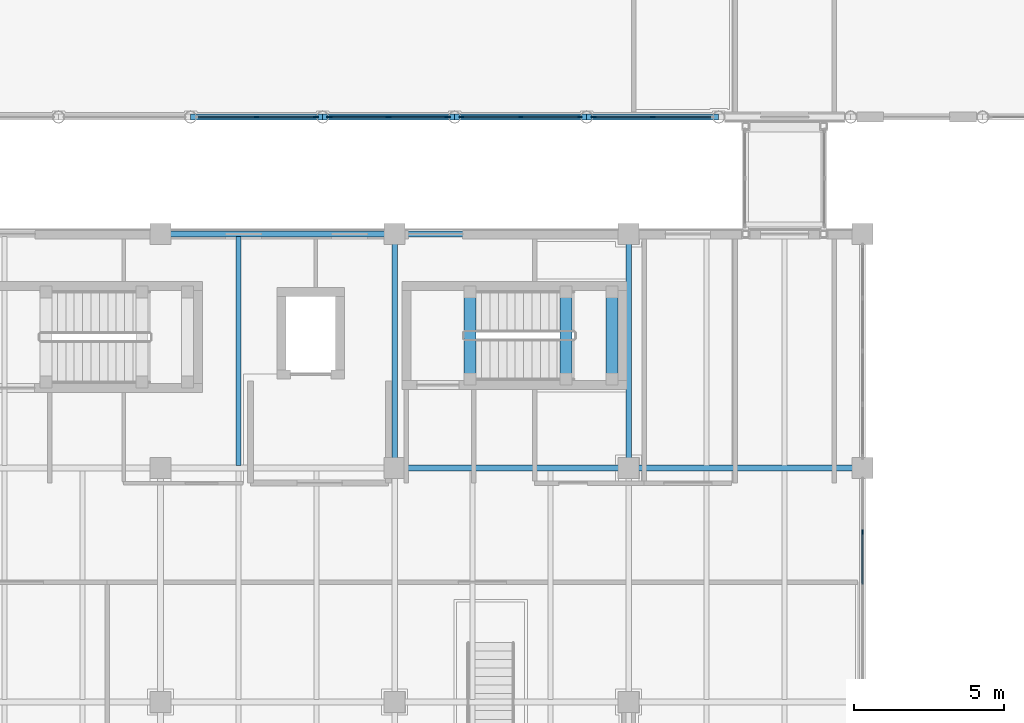
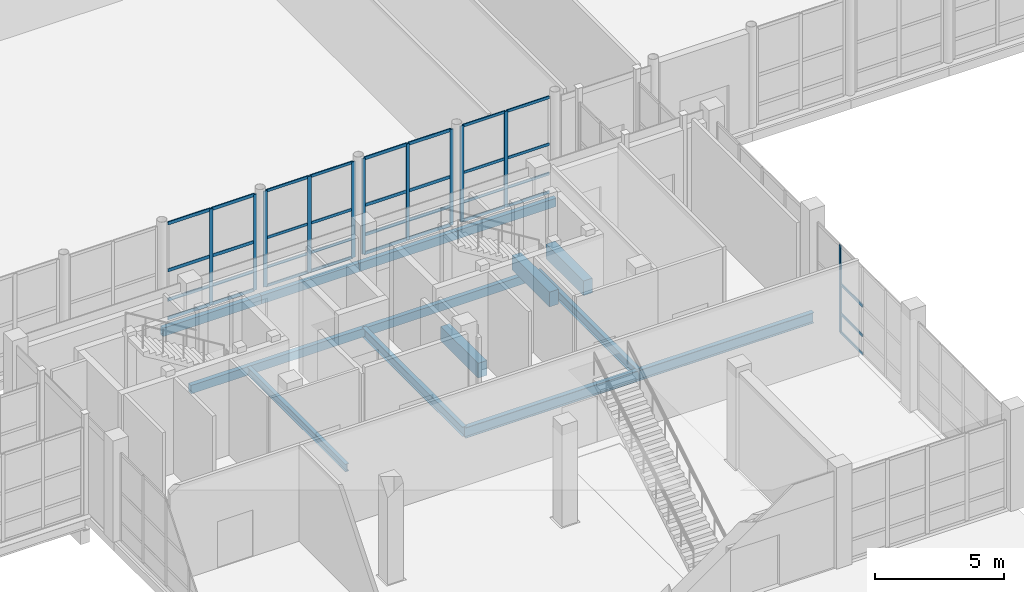
# One storey, part 38 of 131: 46 members, 14 beams, 5 elements without a shape of their own.
"""IFC4 building model written with IfcOpenShell, lengths in metres."""

from ifc_helpers import new_model, si_unit, direction, frame, origin, origin_2d, place, context, subcontext, project, spatial, rectangle, hollow_rectangle, i_section, extrude, material, layer, layer_set, material_profile, profile_set, type_object, element, aggregate, save


model = new_model("IFC4")

# Units and contexts
model_context = context("Model", 3, precision=1e-05, world=origin(), true_north=direction((0.0, 1.0)))
body_context = subcontext(model_context, "Body", "Model", "MODEL_VIEW")
ifc_project = project(units=[si_unit("LENGTHUNIT", "METRE"), si_unit("AREAUNIT", "SQUARE_METRE"), si_unit("VOLUMEUNIT", "CUBIC_METRE"), si_unit("PLANEANGLEUNIT", "RADIAN"), si_unit("MASSUNIT", "GRAM", prefix="KILO")], contexts=[model_context])

# Site, building, storey
site_placement = place(None, origin())
site = spatial("IfcSite", under=ifc_project, at=site_placement, CompositionType="ELEMENT")
building_placement = place(site_placement, origin())
building = spatial("IfcBuilding", under=site, at=building_placement, Name="Celorna Specialist Clinic", CompositionType="ELEMENT")
storey_placement = place(building_placement, origin())
storey = spatial("IfcBuildingStorey", under=building, at=storey_placement, Name="L00", CompositionType="ELEMENT", Elevation=0.0)

# Beams
ifc_material_1 = material(Name="Steel S355", Category="steel")
ifc_material_profile_1 = material_profile(ifc_material_1, i_section(OverallWidth=0.199951171875, OverallDepth=0.5, WebThickness=0.01025390625, FlangeThickness=0.01611328125, at=origin_2d()), Name="IPE 500")
ifc_profile_set_1 = profile_set([ifc_material_profile_1], Name="Steel S355")
beam_type_1 = type_object("IfcBeamType", Name="BM-08", PredefinedType="BEAM", material=ifc_profile_set_1)
for number, where, z_axis, x_axis, name in (
    (1, (70.199951171875, 35.10009765625, -0.550048828125), (1.0, 0.0, 0.0), (0.0, 1.0, 0.0), "Primary girder BM-08 #2024"),
    (2, (78.0, 35.10009765625, -0.550048828125), (1.0, 0.0, 0.0), (0.0, 1.0, 0.0), "Primary girder BM-08 #2025"),
):
    element("IfcBeam", number, at=place(storey_placement, frame(where, z_axis=z_axis, x_axis=x_axis)), inside=storey, type_object=beam_type_1, Name=name, PredefinedType="BEAM", context=body_context, shape_type="SweptSolid", body=[
        extrude(i_section(OverallWidth=0.199951171875, OverallDepth=0.5, WebThickness=0.01025390625, FlangeThickness=0.01611328125, at=origin_2d()), origin(), (0.0, 0.0, 1.0), 7.800048828125),
    ])
ifc_material_profile_2 = material_profile(ifc_material_1, i_section(OverallWidth=0.18994140625, OverallDepth=0.449951171875, WebThickness=0.009521484375, FlangeThickness=0.0146484375, at=origin_2d()), Name="IPE 450")
ifc_profile_set_2 = profile_set([ifc_material_profile_2], Name="Steel S355")
beam_type_2 = type_object("IfcBeamType", Name="BM-09", PredefinedType="BEAM", material=ifc_profile_set_2)
for number, where, z_axis, x_axis, name in (
    (3, (70.199951171875, 35.10009765625, -0.52490234375), (0.0, 1.0, 0.0), (-1.0, 0.0, 0.0), "Transverse girder BM-09 #2037"),
    (4, (78.0, 35.10009765625, -0.52490234375), (0.0, 1.0, 0.0), (-1.0, 0.0, 0.0), "Transverse girder BM-09 #2040"),
):
    element("IfcBeam", number, at=place(storey_placement, frame(where, z_axis=z_axis, x_axis=x_axis)), inside=storey, type_object=beam_type_2, Name=name, PredefinedType="BEAM", context=body_context, shape_type="SweptSolid", body=[
        extrude(i_section(OverallWidth=0.18994140625, OverallDepth=0.449951171875, WebThickness=0.009521484375, FlangeThickness=0.0146484375, at=origin_2d()), origin(), (0.0, 0.0, 1.0), 7.7998046875),
    ])
ifc_material_profile_3 = material_profile(ifc_material_1, i_section(OverallWidth=0.169921875, OverallDepth=0.360107421875, WebThickness=0.008056640625, FlangeThickness=0.0126953125, at=origin_2d()), Name="IPE 360")
ifc_profile_set_3 = profile_set([ifc_material_profile_3], Name="Steel S355")
beam_type_3 = type_object("IfcBeamType", Name="BM-11", PredefinedType="JOIST", material=ifc_profile_set_3)
beam_1_placement = place(storey_placement, frame((65.0, 35.18798828125, -0.47998046875), z_axis=(0.0, 1.0, 0.0), x_axis=(-1.0, 0.0, 0.0)))
element("IfcBeam", 5, at=beam_1_placement, inside=storey, type_object=beam_type_3, Name="Secondary floor joist BM-11 #2053", PredefinedType="JOIST", context=body_context, shape_type="SweptSolid", body=[
    extrude(i_section(OverallWidth=0.169921875, OverallDepth=0.360107421875, WebThickness=0.008056640625, FlangeThickness=0.0126953125, at=origin_2d()), origin(), (0.0, 0.0, 1.0), 7.6240234375),
])
ifc_material_profile_4 = material_profile(ifc_material_1, hollow_rectangle(XDim=0.199951171875, YDim=0.39990234375, WallThickness=0.011962890625, at=origin_2d()), Name="RHS 200x400x12")
ifc_profile_set_4 = profile_set([ifc_material_profile_4], Name="Steel S355")
beam_type_4 = type_object("IfcBeamType", Name="BM-15", PredefinedType="SPANDREL", material=ifc_profile_set_4)
beam_2_placement = place(storey_placement, frame((63.39990234375, 46.800048828125, -0.5), z_axis=(1.0, 0.0, 0.0), x_axis=(0.0, 1.0, 0.0)))
element("IfcBeam", 6, at=beam_2_placement, inside=storey, type_object=beam_type_4, Name="Spandrel beam BM-15 #130", PredefinedType="SPANDREL", context=body_context, shape_type="SweptSolid", body=[
    extrude(hollow_rectangle(XDim=0.199951171875, YDim=0.39990234375, WallThickness=0.011962890625, at=origin_2d()), origin(), (0.0, 0.0, 1.0), 4.400146484375),
])
beam_3_placement = place(storey_placement, frame((67.800048828125, 46.800048828125, -0.5), z_axis=(1.0, 0.0, 0.0), x_axis=(0.0, 1.0, 0.0)))
element("IfcBeam", 7, at=beam_3_placement, inside=storey, type_object=beam_type_4, Name="Spandrel beam BM-15 #131", PredefinedType="SPANDREL", context=body_context, shape_type="SweptSolid", body=[
    extrude(hollow_rectangle(XDim=0.199951171875, YDim=0.39990234375, WallThickness=0.011962890625, at=origin_2d()), origin(), (0.0, 0.0, 1.0), 4.39990234375),
])
beam_4_placement = place(storey_placement, frame((72.199951171875, 46.800048828125, -0.5), z_axis=(1.0, 0.0, 0.0), x_axis=(0.0, 1.0, 0.0)))
element("IfcBeam", 8, at=beam_4_placement, inside=storey, type_object=beam_type_4, Name="Spandrel beam BM-15 #132", PredefinedType="SPANDREL", context=body_context, shape_type="SweptSolid", body=[
    extrude(hollow_rectangle(XDim=0.199951171875, YDim=0.39990234375, WallThickness=0.011962890625, at=origin_2d()), origin(), (0.0, 0.0, 1.0), 4.400146484375),
])
beam_5_placement = place(storey_placement, frame((76.60009765625, 46.800048828125, -0.5), z_axis=(1.0, 0.0, 0.0), x_axis=(0.0, 1.0, 0.0)))
element("IfcBeam", 9, at=beam_5_placement, inside=storey, type_object=beam_type_4, Name="Spandrel beam BM-15 #133", PredefinedType="SPANDREL", context=body_context, shape_type="SweptSolid", body=[
    extrude(hollow_rectangle(XDim=0.199951171875, YDim=0.39990234375, WallThickness=0.011962890625, at=origin_2d()), origin(), (0.0, 0.0, 1.0), 4.39990234375),
])
for number, where, z_axis, x_axis, name in (
    (10, (62.39990234375, 42.89990234375, -0.5), (1.0, 0.0, 0.0), (0.0, 1.0, 0.0), "Spandrel beam BM-15 #2027"),
    (11, (70.199951171875, 42.89990234375, -0.5), (1.0, 0.0, 0.0), (0.0, 1.0, 0.0), "Spandrel beam BM-15 #2028"),
):
    element("IfcBeam", number, at=place(storey_placement, frame(where, z_axis=z_axis, x_axis=x_axis)), inside=storey, type_object=beam_type_4, Name=name, PredefinedType="SPANDREL", context=body_context, shape_type="SweptSolid", body=[
        extrude(hollow_rectangle(XDim=0.199951171875, YDim=0.39990234375, WallThickness=0.011962890625, at=origin_2d()), origin(), (0.0, 0.0, 1.0), 7.800048828125),
    ])
ifc_material_2 = material(Name="Concrete C35/45", Category="concrete")
ifc_material_profile_5 = material_profile(ifc_material_2, rectangle(XDim=0.39990234375, YDim=0.699951171875, at=origin_2d()), Name="RC 400x700")
ifc_profile_set_5 = profile_set([ifc_material_profile_5], Name="Concrete C35/45")
beam_type_5 = type_object("IfcBeamType", Name="BM-19", PredefinedType="BEAM", material=ifc_profile_set_5)
for number, where, z_axis, x_axis, name in (
    (12, (72.719970703125, 38.070068359375, -0.27490234375), (0.0, 1.0, 0.0), (-1.0, 0.0, 0.0), "Stair ST-09 floor landing trimmer beam L00"),
    (13, (75.919921875, 38.070068359375, 1.97509765625), (0.0, 1.0, 0.0), (-1.0, 0.0, 0.0), "Stair ST-09 half-landing beam L00"),
    (14, (77.43994140625, 38.070068359375, 1.97509765625), (0.0, 1.0, 0.0), (-1.0, 0.0, 0.0), "Stair ST-09 half-landing beam L00"),
):
    element("IfcBeam", number, at=place(storey_placement, frame(where, z_axis=z_axis, x_axis=x_axis)), inside=storey, type_object=beam_type_5, Name=name, PredefinedType="BEAM", context=body_context, shape_type="SweptSolid", body=[
        extrude(rectangle(XDim=0.39990234375, YDim=0.699951171875, at=origin_2d()), origin(), (0.0, 0.0, 1.0), 2.89990234375),
    ])

# Curtain wall, members
ifc_material_3 = material(Name="Thermally broken aluminium and solar-control glass curtain wall", Category="aluminium")
ifc_layer_1 = layer(ifc_material_3, 0.159912109375, Name="Thermally broken aluminium and solar-control glass curtain wall")
ifc_layer_set_1 = layer_set([ifc_layer_1], Name="Thermally broken aluminium and solar-control glass curtain wall")
curtain_wall_type_1 = type_object("IfcCurtainWallType", Name="CW-03", PredefinedType="NOTDEFINED", material=ifc_layer_set_1)
curtain_wall_1_placement = place(storey_placement, origin())
curtain_wall_1 = element("IfcCurtainWall", 15, at=curtain_wall_1_placement, inside=storey, type_object=curtain_wall_type_1, Name="Curtain wall CW-03 #3", PredefinedType="NOTDEFINED")
ifc_material_4 = material(Name="Anodized aluminium mullion", Category="aluminium")
ifc_material_profile_6 = material_profile(ifc_material_4, rectangle(XDim=0.050048828125, YDim=0.159912109375, at=origin_2d()), Name="ALU MULLION 50x160")
ifc_profile_set_6 = profile_set([ifc_material_profile_6], Name="Anodized aluminium mullion")
member_type_1 = type_object("IfcMemberType", Name="ML-01", PredefinedType="MULLION", material=ifc_profile_set_6)
member_1_placement = place(storey_placement, frame((67.56787109375, 46.800048828125, 0.0), z_axis=(0.0, 0.0, 1.0), x_axis=(0.0, -1.0, 0.0)))
member_1 = element("IfcMember", 16, at=member_1_placement, type_object=member_type_1, Name="CW-03 mullion 1", PredefinedType="MULLION", context=body_context, shape_type="SweptSolid", body=[
    extrude(rectangle(XDim=0.050048828125, YDim=0.159912109375, at=origin_2d()), origin(), (0.0, 0.0, 1.0), 4.5400390625),
])
member_2_placement = place(storey_placement, frame((65.60009765625, 46.800048828125, 0.0), z_axis=(0.0, 0.0, 1.0), x_axis=(0.0, -1.0, 0.0)))
member_2 = element("IfcMember", 17, at=member_2_placement, type_object=member_type_1, Name="CW-03 mullion 2", PredefinedType="MULLION", context=body_context, shape_type="SweptSolid", body=[
    extrude(rectangle(XDim=0.050048828125, YDim=0.159912109375, at=origin_2d()), origin(), (0.0, 0.0, 1.0), 4.5400390625),
])

curtain_wall_2_placement = place(storey_placement, origin())
curtain_wall_2 = element("IfcCurtainWall", 18, at=curtain_wall_2_placement, inside=storey, type_object=curtain_wall_type_1, Name="Curtain wall CW-03 #6", PredefinedType="NOTDEFINED")
member_3_placement = place(storey_placement, frame((78.800048828125, 46.800048828125, 0.0), z_axis=(0.0, 0.0, 1.0), x_axis=(0.0, -1.0, 0.0)))
member_3 = element("IfcMember", 19, at=member_3_placement, type_object=member_type_1, Name="CW-03 mullion 2", PredefinedType="MULLION", context=body_context, shape_type="SweptSolid", body=[
    extrude(rectangle(XDim=0.050048828125, YDim=0.159912109375, at=origin_2d()), origin(), (0.0, 0.0, 1.0), 4.5400390625),
])
member_4_placement = place(storey_placement, frame((76.832275390625, 46.800048828125, 0.0), z_axis=(0.0, 0.0, 1.0), x_axis=(0.0, -1.0, 0.0)))
member_4 = element("IfcMember", 20, at=member_4_placement, type_object=member_type_1, Name="CW-03 mullion 3", PredefinedType="MULLION", context=body_context, shape_type="SweptSolid", body=[
    extrude(rectangle(XDim=0.050048828125, YDim=0.159912109375, at=origin_2d()), origin(), (0.0, 0.0, 1.0), 4.5400390625),
])

ifc_layer_2 = layer(ifc_material_3, 0.159912109375, Name="Thermally broken aluminium and solar-control glass curtain wall")
ifc_layer_set_2 = layer_set([ifc_layer_2], Name="Thermally broken aluminium and solar-control glass curtain wall")
curtain_wall_type_2 = type_object("IfcCurtainWallType", Name="CW-01", PredefinedType="NOTDEFINED", material=ifc_layer_set_2)
curtain_wall_3_placement = place(storey_placement, origin())
curtain_wall_3 = element("IfcCurtainWall", 21, at=curtain_wall_3_placement, inside=storey, type_object=curtain_wall_type_2, Name="Curtain wall CW-01 #4", PredefinedType="NOTDEFINED")
ifc_material_profile_7 = material_profile(ifc_material_4, rectangle(XDim=0.050048828125, YDim=0.179931640625, at=origin_2d()), Name="ALU MULLION 50x180")
ifc_profile_set_7 = profile_set([ifc_material_profile_7], Name="Anodized aluminium mullion")
member_type_2 = type_object("IfcMemberType", Name="ML-02", PredefinedType="MULLION", material=ifc_profile_set_7)
member_5_placement = place(storey_placement, frame((71.9677734375, 46.800048828125, 0.0), z_axis=(0.0, 0.0, 1.0), x_axis=(0.0, -1.0, 0.0)))
member_5 = element("IfcMember", 22, at=member_5_placement, type_object=member_type_2, Name="CW-01 mullion 1", PredefinedType="MULLION", context=body_context, shape_type="SweptSolid", body=[
    extrude(rectangle(XDim=0.050048828125, YDim=0.179931640625, at=origin_2d()), origin(), (0.0, 0.0, 1.0), 4.5400390625),
])
member_6_placement = place(storey_placement, frame((70.0, 46.800048828125, 0.0), z_axis=(0.0, 0.0, 1.0), x_axis=(0.0, -1.0, 0.0)))
member_6 = element("IfcMember", 23, at=member_6_placement, type_object=member_type_2, Name="CW-01 mullion 2", PredefinedType="MULLION", context=body_context, shape_type="SweptSolid", body=[
    extrude(rectangle(XDim=0.050048828125, YDim=0.179931640625, at=origin_2d()), origin(), (0.0, 0.0, 1.0), 4.5400390625),
])
member_7_placement = place(storey_placement, frame((68.0322265625, 46.800048828125, 0.0), z_axis=(0.0, 0.0, 1.0), x_axis=(0.0, -1.0, 0.0)))
member_7 = element("IfcMember", 24, at=member_7_placement, type_object=member_type_2, Name="CW-01 mullion 3", PredefinedType="MULLION", context=body_context, shape_type="SweptSolid", body=[
    extrude(rectangle(XDim=0.050048828125, YDim=0.179931640625, at=origin_2d()), origin(), (0.0, 0.0, 1.0), 4.5400390625),
])

ifc_layer_3 = layer(ifc_material_3, 0.159912109375, Name="Thermally broken aluminium and solar-control glass curtain wall")
ifc_layer_set_3 = layer_set([ifc_layer_3], Name="Thermally broken aluminium and solar-control glass curtain wall")
curtain_wall_type_3 = type_object("IfcCurtainWallType", Name="CW-02", PredefinedType="NOTDEFINED", material=ifc_layer_set_3)
curtain_wall_4_placement = place(storey_placement, origin())
curtain_wall_4 = element("IfcCurtainWall", 25, at=curtain_wall_4_placement, inside=storey, type_object=curtain_wall_type_3, Name="Curtain wall CW-02 #5", PredefinedType="NOTDEFINED")
ifc_material_profile_8 = material_profile(ifc_material_4, rectangle(XDim=0.050048828125, YDim=0.139892578125, at=origin_2d()), Name="ALU MULLION 50x140")
ifc_profile_set_8 = profile_set([ifc_material_profile_8], Name="Anodized aluminium mullion")
member_type_3 = type_object("IfcMemberType", Name="ML-03", PredefinedType="MULLION", material=ifc_profile_set_8)
member_8_placement = place(storey_placement, frame((76.367919921875, 46.800048828125, 0.0), z_axis=(0.0, 0.0, 1.0), x_axis=(0.0, -1.0, 0.0)))
member_8 = element("IfcMember", 26, at=member_8_placement, type_object=member_type_3, Name="CW-02 mullion 1", PredefinedType="MULLION", context=body_context, shape_type="SweptSolid", body=[
    extrude(rectangle(XDim=0.050048828125, YDim=0.139892578125, at=origin_2d()), origin(), (0.0, 0.0, 1.0), 4.5400390625),
])
member_9_placement = place(storey_placement, frame((74.39990234375, 46.800048828125, 0.0), z_axis=(0.0, 0.0, 1.0), x_axis=(0.0, -1.0, 0.0)))
member_9 = element("IfcMember", 27, at=member_9_placement, type_object=member_type_3, Name="CW-02 mullion 2", PredefinedType="MULLION", context=body_context, shape_type="SweptSolid", body=[
    extrude(rectangle(XDim=0.050048828125, YDim=0.139892578125, at=origin_2d()), origin(), (0.0, 0.0, 1.0), 4.5400390625),
])
member_10_placement = place(storey_placement, frame((72.43212890625, 46.800048828125, 0.0), z_axis=(0.0, 0.0, 1.0), x_axis=(0.0, -1.0, 0.0)))
member_10 = element("IfcMember", 28, at=member_10_placement, type_object=member_type_3, Name="CW-02 mullion 3", PredefinedType="MULLION", context=body_context, shape_type="SweptSolid", body=[
    extrude(rectangle(XDim=0.050048828125, YDim=0.139892578125, at=origin_2d()), origin(), (0.0, 0.0, 1.0), 4.5400390625),
])

# Curtain wall, member
ifc_layer_4 = layer(ifc_material_3, 0.159912109375, Name="Thermally broken aluminium and solar-control glass curtain wall")
ifc_layer_set_4 = layer_set([ifc_layer_4], Name="Thermally broken aluminium and solar-control glass curtain wall")
curtain_wall_type_4 = type_object("IfcCurtainWallType", Name="CW-103", PredefinedType="NOTDEFINED", material=ifc_layer_set_4)
curtain_wall_5_placement = place(storey_placement, origin())
curtain_wall_5 = element("IfcCurtainWall", 29, at=curtain_wall_5_placement, inside=storey, type_object=curtain_wall_type_4, Name="Curtain wall CW-103 #184", PredefinedType="NOTDEFINED")
member_11_placement = place(storey_placement, frame((85.800048828125, 32.972900390625, 0.0), z_axis=(0.0, 0.0, 1.0), x_axis=(1.0, 0.0, 0.0)))
member_11 = element("IfcMember", 30, at=member_11_placement, type_object=member_type_3, Name="CW-103 mullion 2", PredefinedType="MULLION", context=body_context, shape_type="SweptSolid", body=[
    extrude(rectangle(XDim=0.050048828125, YDim=0.139892578125, at=origin_2d()), origin(), (0.0, 0.0, 1.0), 4.139892578125),
])

# Member
ifc_material_5 = material(Name="Anodized aluminium transom", Category="aluminium")
ifc_material_profile_9 = material_profile(ifc_material_5, rectangle(XDim=0.050048828125, YDim=0.1298828125, at=origin_2d()), Name="ALU TRANSOM 50x130")
ifc_profile_set_9 = profile_set([ifc_material_profile_9], Name="Anodized aluminium transom")
member_type_4 = type_object("IfcMemberType", Name="TR-01", PredefinedType="USERDEFINED", material=ifc_profile_set_9)
member_12_placement = place(storey_placement, frame((71.94287109375, 46.800048828125, 0.02490234375), z_axis=(-1.0, 0.0, 0.0), x_axis=(0.0, -1.0, 0.0)))
member_12 = element("IfcMember", 31, at=member_12_placement, type_object=member_type_4, Name="CW-01 transom 1.1", ObjectType="TRANSOM", PredefinedType="USERDEFINED", context=body_context, shape_type="SweptSolid", body=[
    extrude(rectangle(XDim=0.050048828125, YDim=0.1298828125, at=origin_2d()), origin(), (0.0, 0.0, 1.0), 1.91796875),
])

member_13_placement = place(storey_placement, frame((71.94287109375, 46.800048828125, 0.89990234375), z_axis=(-1.0, 0.0, 0.0), x_axis=(0.0, -1.0, 0.0)))
member_13 = element("IfcMember", 32, at=member_13_placement, type_object=member_type_4, Name="CW-01 transom 1.2", ObjectType="TRANSOM", PredefinedType="USERDEFINED", context=body_context, shape_type="SweptSolid", body=[
    extrude(rectangle(XDim=0.050048828125, YDim=0.1298828125, at=origin_2d()), origin(), (0.0, 0.0, 1.0), 1.91796875),
])

member_14_placement = place(storey_placement, frame((71.94287109375, 46.800048828125, 2.300048828125), z_axis=(-1.0, 0.0, 0.0), x_axis=(0.0, -1.0, 0.0)))
member_14 = element("IfcMember", 33, at=member_14_placement, type_object=member_type_4, Name="CW-01 transom 1.3", ObjectType="TRANSOM", PredefinedType="USERDEFINED", context=body_context, shape_type="SweptSolid", body=[
    extrude(rectangle(XDim=0.050048828125, YDim=0.1298828125, at=origin_2d()), origin(), (0.0, 0.0, 1.0), 1.91796875),
])

member_15_placement = place(storey_placement, frame((71.94287109375, 46.800048828125, 4.514892578125), z_axis=(-1.0, 0.0, 0.0), x_axis=(0.0, -1.0, 0.0)))
member_15 = element("IfcMember", 34, at=member_15_placement, type_object=member_type_4, Name="CW-01 transom 1.4", ObjectType="TRANSOM", PredefinedType="USERDEFINED", context=body_context, shape_type="SweptSolid", body=[
    extrude(rectangle(XDim=0.050048828125, YDim=0.1298828125, at=origin_2d()), origin(), (0.0, 0.0, 1.0), 1.91796875),
])

member_16_placement = place(storey_placement, frame((69.97509765625, 46.800048828125, 0.02490234375), z_axis=(-1.0, 0.0, 0.0), x_axis=(0.0, -1.0, 0.0)))
member_16 = element("IfcMember", 35, at=member_16_placement, type_object=member_type_4, Name="CW-01 transom 2.1", ObjectType="TRANSOM", PredefinedType="USERDEFINED", context=body_context, shape_type="SweptSolid", body=[
    extrude(rectangle(XDim=0.050048828125, YDim=0.1298828125, at=origin_2d()), origin(), (0.0, 0.0, 1.0), 1.91796875),
])

member_17_placement = place(storey_placement, frame((69.97509765625, 46.800048828125, 0.89990234375), z_axis=(-1.0, 0.0, 0.0), x_axis=(0.0, -1.0, 0.0)))
member_17 = element("IfcMember", 36, at=member_17_placement, type_object=member_type_4, Name="CW-01 transom 2.2", ObjectType="TRANSOM", PredefinedType="USERDEFINED", context=body_context, shape_type="SweptSolid", body=[
    extrude(rectangle(XDim=0.050048828125, YDim=0.1298828125, at=origin_2d()), origin(), (0.0, 0.0, 1.0), 1.91796875),
])

member_18_placement = place(storey_placement, frame((69.97509765625, 46.800048828125, 2.300048828125), z_axis=(-1.0, 0.0, 0.0), x_axis=(0.0, -1.0, 0.0)))
member_18 = element("IfcMember", 37, at=member_18_placement, type_object=member_type_4, Name="CW-01 transom 2.3", ObjectType="TRANSOM", PredefinedType="USERDEFINED", context=body_context, shape_type="SweptSolid", body=[
    extrude(rectangle(XDim=0.050048828125, YDim=0.1298828125, at=origin_2d()), origin(), (0.0, 0.0, 1.0), 1.91796875),
])

member_19_placement = place(storey_placement, frame((69.97509765625, 46.800048828125, 4.514892578125), z_axis=(-1.0, 0.0, 0.0), x_axis=(0.0, -1.0, 0.0)))
member_19 = element("IfcMember", 38, at=member_19_placement, type_object=member_type_4, Name="CW-01 transom 2.4", ObjectType="TRANSOM", PredefinedType="USERDEFINED", context=body_context, shape_type="SweptSolid", body=[
    extrude(rectangle(XDim=0.050048828125, YDim=0.1298828125, at=origin_2d()), origin(), (0.0, 0.0, 1.0), 1.91796875),
])

aggregate(curtain_wall_3, [member_5, member_6, member_7, member_12, member_13, member_14, member_15, member_16, member_17, member_18, member_19])

member_20_placement = place(storey_placement, frame((80.742919921875, 46.800048828125, 0.02490234375), z_axis=(-1.0, 0.0, 0.0), x_axis=(0.0, -1.0, 0.0)))
member_20 = element("IfcMember", 39, at=member_20_placement, type_object=member_type_4, Name="CW-03 transom 1.1", ObjectType="TRANSOM", PredefinedType="USERDEFINED", context=body_context, shape_type="SweptSolid", body=[
    extrude(rectangle(XDim=0.050048828125, YDim=0.1298828125, at=origin_2d()), origin(), (0.0, 0.0, 1.0), 1.91796875),
])

member_21_placement = place(storey_placement, frame((80.742919921875, 46.800048828125, 0.89990234375), z_axis=(-1.0, 0.0, 0.0), x_axis=(0.0, -1.0, 0.0)))
member_21 = element("IfcMember", 40, at=member_21_placement, type_object=member_type_4, Name="CW-03 transom 1.2", ObjectType="TRANSOM", PredefinedType="USERDEFINED", context=body_context, shape_type="SweptSolid", body=[
    extrude(rectangle(XDim=0.050048828125, YDim=0.1298828125, at=origin_2d()), origin(), (0.0, 0.0, 1.0), 1.91796875),
])

member_22_placement = place(storey_placement, frame((80.742919921875, 46.800048828125, 2.300048828125), z_axis=(-1.0, 0.0, 0.0), x_axis=(0.0, -1.0, 0.0)))
member_22 = element("IfcMember", 41, at=member_22_placement, type_object=member_type_4, Name="CW-03 transom 1.3", ObjectType="TRANSOM", PredefinedType="USERDEFINED", context=body_context, shape_type="SweptSolid", body=[
    extrude(rectangle(XDim=0.050048828125, YDim=0.1298828125, at=origin_2d()), origin(), (0.0, 0.0, 1.0), 1.91796875),
])

member_23_placement = place(storey_placement, frame((80.742919921875, 46.800048828125, 4.514892578125), z_axis=(-1.0, 0.0, 0.0), x_axis=(0.0, -1.0, 0.0)))
member_23 = element("IfcMember", 42, at=member_23_placement, type_object=member_type_4, Name="CW-03 transom 1.4", ObjectType="TRANSOM", PredefinedType="USERDEFINED", context=body_context, shape_type="SweptSolid", body=[
    extrude(rectangle(XDim=0.050048828125, YDim=0.1298828125, at=origin_2d()), origin(), (0.0, 0.0, 1.0), 1.91796875),
])

member_24_placement = place(storey_placement, frame((78.77490234375, 46.800048828125, 0.02490234375), z_axis=(-1.0, 0.0, 0.0), x_axis=(0.0, -1.0, 0.0)))
member_24 = element("IfcMember", 43, at=member_24_placement, type_object=member_type_4, Name="CW-03 transom 2.1", ObjectType="TRANSOM", PredefinedType="USERDEFINED", context=body_context, shape_type="SweptSolid", body=[
    extrude(rectangle(XDim=0.050048828125, YDim=0.1298828125, at=origin_2d()), origin(), (0.0, 0.0, 1.0), 1.917724609375),
])

member_25_placement = place(storey_placement, frame((78.77490234375, 46.800048828125, 0.89990234375), z_axis=(-1.0, 0.0, 0.0), x_axis=(0.0, -1.0, 0.0)))
member_25 = element("IfcMember", 44, at=member_25_placement, type_object=member_type_4, Name="CW-03 transom 2.2", ObjectType="TRANSOM", PredefinedType="USERDEFINED", context=body_context, shape_type="SweptSolid", body=[
    extrude(rectangle(XDim=0.050048828125, YDim=0.1298828125, at=origin_2d()), origin(), (0.0, 0.0, 1.0), 1.917724609375),
])

member_26_placement = place(storey_placement, frame((78.77490234375, 46.800048828125, 2.300048828125), z_axis=(-1.0, 0.0, 0.0), x_axis=(0.0, -1.0, 0.0)))
member_26 = element("IfcMember", 45, at=member_26_placement, type_object=member_type_4, Name="CW-03 transom 2.3", ObjectType="TRANSOM", PredefinedType="USERDEFINED", context=body_context, shape_type="SweptSolid", body=[
    extrude(rectangle(XDim=0.050048828125, YDim=0.1298828125, at=origin_2d()), origin(), (0.0, 0.0, 1.0), 1.917724609375),
])

member_27_placement = place(storey_placement, frame((78.77490234375, 46.800048828125, 4.514892578125), z_axis=(-1.0, 0.0, 0.0), x_axis=(0.0, -1.0, 0.0)))
member_27 = element("IfcMember", 46, at=member_27_placement, type_object=member_type_4, Name="CW-03 transom 2.4", ObjectType="TRANSOM", PredefinedType="USERDEFINED", context=body_context, shape_type="SweptSolid", body=[
    extrude(rectangle(XDim=0.050048828125, YDim=0.1298828125, at=origin_2d()), origin(), (0.0, 0.0, 1.0), 1.917724609375),
])

aggregate(curtain_wall_2, [member_3, member_4, member_20, member_21, member_22, member_23, member_24, member_25, member_26, member_27])

member_28_placement = place(storey_placement, frame((85.800048828125, 32.947998046875, 0.02490234375), z_axis=(0.0, -1.0, 0.0), x_axis=(1.0, 0.0, 0.0)))
member_28 = element("IfcMember", 47, at=member_28_placement, type_object=member_type_4, Name="CW-103 transom 2.1", ObjectType="TRANSOM", PredefinedType="USERDEFINED", context=body_context, shape_type="SweptSolid", body=[
    extrude(rectangle(XDim=0.050048828125, YDim=0.1298828125, at=origin_2d()), origin(), (0.0, 0.0, 1.0), 1.722900390625),
])

member_29_placement = place(storey_placement, frame((85.800048828125, 32.947998046875, 0.89990234375), z_axis=(0.0, -1.0, 0.0), x_axis=(1.0, 0.0, 0.0)))
member_29 = element("IfcMember", 48, at=member_29_placement, type_object=member_type_4, Name="CW-103 transom 2.2", ObjectType="TRANSOM", PredefinedType="USERDEFINED", context=body_context, shape_type="SweptSolid", body=[
    extrude(rectangle(XDim=0.050048828125, YDim=0.1298828125, at=origin_2d()), origin(), (0.0, 0.0, 1.0), 1.722900390625),
])

member_30_placement = place(storey_placement, frame((85.800048828125, 32.947998046875, 2.300048828125), z_axis=(0.0, -1.0, 0.0), x_axis=(1.0, 0.0, 0.0)))
member_30 = element("IfcMember", 49, at=member_30_placement, type_object=member_type_4, Name="CW-103 transom 2.3", ObjectType="TRANSOM", PredefinedType="USERDEFINED", context=body_context, shape_type="SweptSolid", body=[
    extrude(rectangle(XDim=0.050048828125, YDim=0.1298828125, at=origin_2d()), origin(), (0.0, 0.0, 1.0), 1.722900390625),
])

aggregate(curtain_wall_5, [member_11, member_28, member_29, member_30])

ifc_material_profile_10 = material_profile(ifc_material_5, rectangle(XDim=0.050048828125, YDim=0.14990234375, at=origin_2d()), Name="ALU TRANSOM 50x150")
ifc_profile_set_10 = profile_set([ifc_material_profile_10], Name="Anodized aluminium transom")
member_type_5 = type_object("IfcMemberType", Name="TR-02", PredefinedType="USERDEFINED", material=ifc_profile_set_10)
member_31_placement = place(storey_placement, frame((67.542724609375, 46.800048828125, 0.02490234375), z_axis=(-1.0, 0.0, 0.0), x_axis=(0.0, -1.0, 0.0)))
member_31 = element("IfcMember", 50, at=member_31_placement, type_object=member_type_5, Name="CW-03 transom 1.1", ObjectType="TRANSOM", PredefinedType="USERDEFINED", context=body_context, shape_type="SweptSolid", body=[
    extrude(rectangle(XDim=0.050048828125, YDim=0.14990234375, at=origin_2d()), origin(), (0.0, 0.0, 1.0), 1.917724609375),
])

member_32_placement = place(storey_placement, frame((67.542724609375, 46.800048828125, 0.89990234375), z_axis=(-1.0, 0.0, 0.0), x_axis=(0.0, -1.0, 0.0)))
member_32 = element("IfcMember", 51, at=member_32_placement, type_object=member_type_5, Name="CW-03 transom 1.2", ObjectType="TRANSOM", PredefinedType="USERDEFINED", context=body_context, shape_type="SweptSolid", body=[
    extrude(rectangle(XDim=0.050048828125, YDim=0.14990234375, at=origin_2d()), origin(), (0.0, 0.0, 1.0), 1.917724609375),
])

member_33_placement = place(storey_placement, frame((67.542724609375, 46.800048828125, 2.300048828125), z_axis=(-1.0, 0.0, 0.0), x_axis=(0.0, -1.0, 0.0)))
member_33 = element("IfcMember", 52, at=member_33_placement, type_object=member_type_5, Name="CW-03 transom 1.3", ObjectType="TRANSOM", PredefinedType="USERDEFINED", context=body_context, shape_type="SweptSolid", body=[
    extrude(rectangle(XDim=0.050048828125, YDim=0.14990234375, at=origin_2d()), origin(), (0.0, 0.0, 1.0), 1.917724609375),
])

member_34_placement = place(storey_placement, frame((67.542724609375, 46.800048828125, 4.514892578125), z_axis=(-1.0, 0.0, 0.0), x_axis=(0.0, -1.0, 0.0)))
member_34 = element("IfcMember", 53, at=member_34_placement, type_object=member_type_5, Name="CW-03 transom 1.4", ObjectType="TRANSOM", PredefinedType="USERDEFINED", context=body_context, shape_type="SweptSolid", body=[
    extrude(rectangle(XDim=0.050048828125, YDim=0.14990234375, at=origin_2d()), origin(), (0.0, 0.0, 1.0), 1.917724609375),
])

member_35_placement = place(storey_placement, frame((65.574951171875, 46.800048828125, 0.02490234375), z_axis=(-1.0, 0.0, 0.0), x_axis=(0.0, -1.0, 0.0)))
member_35 = element("IfcMember", 54, at=member_35_placement, type_object=member_type_5, Name="CW-03 transom 2.1", ObjectType="TRANSOM", PredefinedType="USERDEFINED", context=body_context, shape_type="SweptSolid", body=[
    extrude(rectangle(XDim=0.050048828125, YDim=0.14990234375, at=origin_2d()), origin(), (0.0, 0.0, 1.0), 1.917724609375),
])

member_36_placement = place(storey_placement, frame((65.574951171875, 46.800048828125, 0.89990234375), z_axis=(-1.0, 0.0, 0.0), x_axis=(0.0, -1.0, 0.0)))
member_36 = element("IfcMember", 55, at=member_36_placement, type_object=member_type_5, Name="CW-03 transom 2.2", ObjectType="TRANSOM", PredefinedType="USERDEFINED", context=body_context, shape_type="SweptSolid", body=[
    extrude(rectangle(XDim=0.050048828125, YDim=0.14990234375, at=origin_2d()), origin(), (0.0, 0.0, 1.0), 1.917724609375),
])

member_37_placement = place(storey_placement, frame((65.574951171875, 46.800048828125, 2.300048828125), z_axis=(-1.0, 0.0, 0.0), x_axis=(0.0, -1.0, 0.0)))
member_37 = element("IfcMember", 56, at=member_37_placement, type_object=member_type_5, Name="CW-03 transom 2.3", ObjectType="TRANSOM", PredefinedType="USERDEFINED", context=body_context, shape_type="SweptSolid", body=[
    extrude(rectangle(XDim=0.050048828125, YDim=0.14990234375, at=origin_2d()), origin(), (0.0, 0.0, 1.0), 1.917724609375),
])

member_38_placement = place(storey_placement, frame((65.574951171875, 46.800048828125, 4.514892578125), z_axis=(-1.0, 0.0, 0.0), x_axis=(0.0, -1.0, 0.0)))
member_38 = element("IfcMember", 57, at=member_38_placement, type_object=member_type_5, Name="CW-03 transom 2.4", ObjectType="TRANSOM", PredefinedType="USERDEFINED", context=body_context, shape_type="SweptSolid", body=[
    extrude(rectangle(XDim=0.050048828125, YDim=0.14990234375, at=origin_2d()), origin(), (0.0, 0.0, 1.0), 1.917724609375),
])

aggregate(curtain_wall_1, [member_1, member_2, member_31, member_32, member_33, member_34, member_35, member_36, member_37, member_38])

member_39_placement = place(storey_placement, frame((76.3427734375, 46.800048828125, 0.02490234375), z_axis=(-1.0, 0.0, 0.0), x_axis=(0.0, -1.0, 0.0)))
member_39 = element("IfcMember", 58, at=member_39_placement, type_object=member_type_5, Name="CW-02 transom 1.1", ObjectType="TRANSOM", PredefinedType="USERDEFINED", context=body_context, shape_type="SweptSolid", body=[
    extrude(rectangle(XDim=0.050048828125, YDim=0.14990234375, at=origin_2d()), origin(), (0.0, 0.0, 1.0), 1.917724609375),
])

member_40_placement = place(storey_placement, frame((76.3427734375, 46.800048828125, 0.89990234375), z_axis=(-1.0, 0.0, 0.0), x_axis=(0.0, -1.0, 0.0)))
member_40 = element("IfcMember", 59, at=member_40_placement, type_object=member_type_5, Name="CW-02 transom 1.2", ObjectType="TRANSOM", PredefinedType="USERDEFINED", context=body_context, shape_type="SweptSolid", body=[
    extrude(rectangle(XDim=0.050048828125, YDim=0.14990234375, at=origin_2d()), origin(), (0.0, 0.0, 1.0), 1.917724609375),
])

member_41_placement = place(storey_placement, frame((76.3427734375, 46.800048828125, 2.300048828125), z_axis=(-1.0, 0.0, 0.0), x_axis=(0.0, -1.0, 0.0)))
member_41 = element("IfcMember", 60, at=member_41_placement, type_object=member_type_5, Name="CW-02 transom 1.3", ObjectType="TRANSOM", PredefinedType="USERDEFINED", context=body_context, shape_type="SweptSolid", body=[
    extrude(rectangle(XDim=0.050048828125, YDim=0.14990234375, at=origin_2d()), origin(), (0.0, 0.0, 1.0), 1.917724609375),
])

member_42_placement = place(storey_placement, frame((76.3427734375, 46.800048828125, 4.514892578125), z_axis=(-1.0, 0.0, 0.0), x_axis=(0.0, -1.0, 0.0)))
member_42 = element("IfcMember", 61, at=member_42_placement, type_object=member_type_5, Name="CW-02 transom 1.4", ObjectType="TRANSOM", PredefinedType="USERDEFINED", context=body_context, shape_type="SweptSolid", body=[
    extrude(rectangle(XDim=0.050048828125, YDim=0.14990234375, at=origin_2d()), origin(), (0.0, 0.0, 1.0), 1.917724609375),
])

member_43_placement = place(storey_placement, frame((74.375, 46.800048828125, 0.02490234375), z_axis=(-1.0, 0.0, 0.0), x_axis=(0.0, -1.0, 0.0)))
member_43 = element("IfcMember", 62, at=member_43_placement, type_object=member_type_5, Name="CW-02 transom 2.1", ObjectType="TRANSOM", PredefinedType="USERDEFINED", context=body_context, shape_type="SweptSolid", body=[
    extrude(rectangle(XDim=0.050048828125, YDim=0.14990234375, at=origin_2d()), origin(), (0.0, 0.0, 1.0), 1.917724609375),
])

member_44_placement = place(storey_placement, frame((74.375, 46.800048828125, 0.89990234375), z_axis=(-1.0, 0.0, 0.0), x_axis=(0.0, -1.0, 0.0)))
member_44 = element("IfcMember", 63, at=member_44_placement, type_object=member_type_5, Name="CW-02 transom 2.2", ObjectType="TRANSOM", PredefinedType="USERDEFINED", context=body_context, shape_type="SweptSolid", body=[
    extrude(rectangle(XDim=0.050048828125, YDim=0.14990234375, at=origin_2d()), origin(), (0.0, 0.0, 1.0), 1.917724609375),
])

member_45_placement = place(storey_placement, frame((74.375, 46.800048828125, 2.300048828125), z_axis=(-1.0, 0.0, 0.0), x_axis=(0.0, -1.0, 0.0)))
member_45 = element("IfcMember", 64, at=member_45_placement, type_object=member_type_5, Name="CW-02 transom 2.3", ObjectType="TRANSOM", PredefinedType="USERDEFINED", context=body_context, shape_type="SweptSolid", body=[
    extrude(rectangle(XDim=0.050048828125, YDim=0.14990234375, at=origin_2d()), origin(), (0.0, 0.0, 1.0), 1.917724609375),
])

member_46_placement = place(storey_placement, frame((74.375, 46.800048828125, 4.514892578125), z_axis=(-1.0, 0.0, 0.0), x_axis=(0.0, -1.0, 0.0)))
member_46 = element("IfcMember", 65, at=member_46_placement, type_object=member_type_5, Name="CW-02 transom 2.4", ObjectType="TRANSOM", PredefinedType="USERDEFINED", context=body_context, shape_type="SweptSolid", body=[
    extrude(rectangle(XDim=0.050048828125, YDim=0.14990234375, at=origin_2d()), origin(), (0.0, 0.0, 1.0), 1.917724609375),
])

aggregate(curtain_wall_4, [member_8, member_9, member_10, member_39, member_40, member_41, member_42, member_43, member_44, member_45, member_46])

save(model, "model.ifc")
